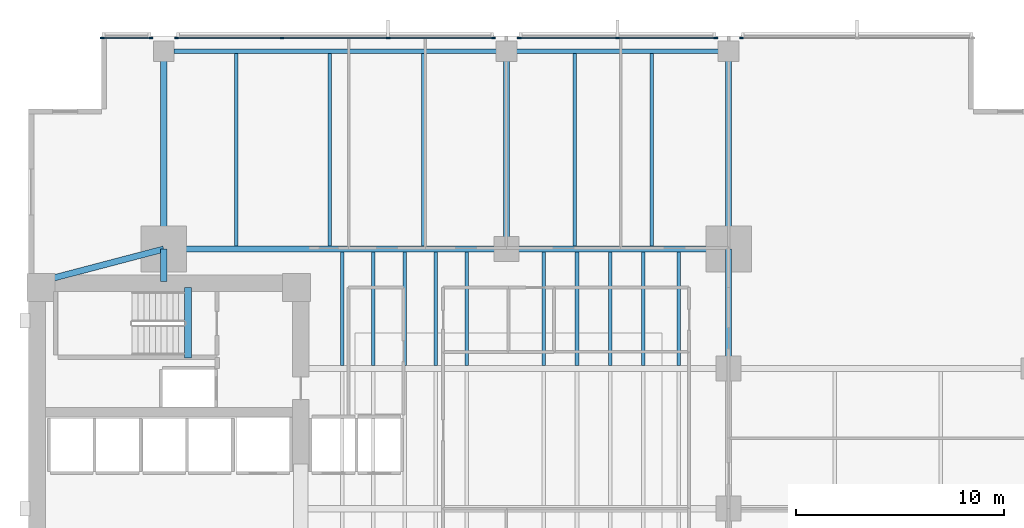
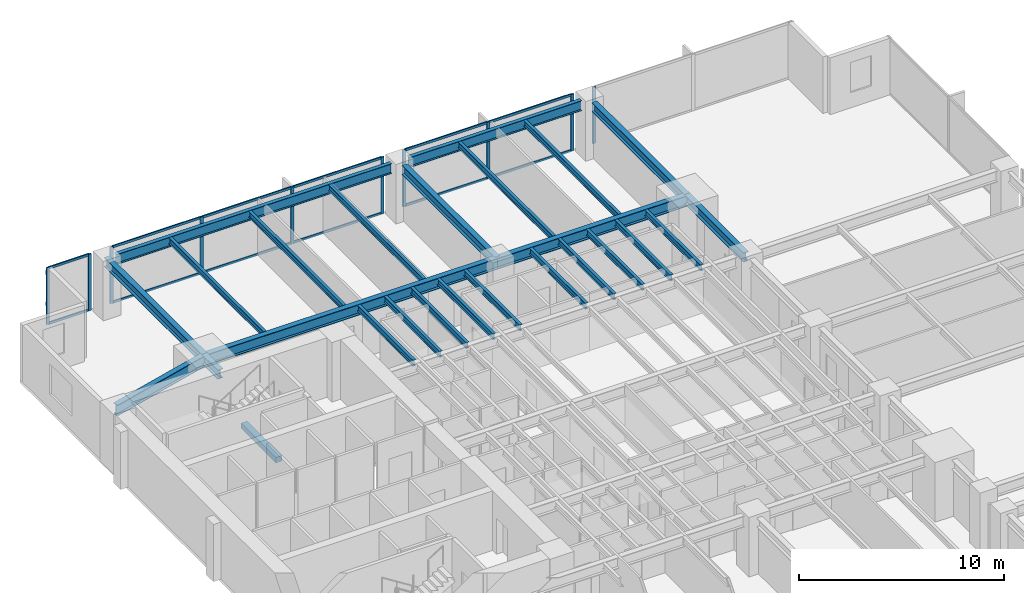
# One storey, part 5 of 15: 26 beams, 22 members, 4 elements without a shape of their own.
"""IFC4 building model written with IfcOpenShell, lengths in metres."""

from ifc_helpers import new_model, si_unit, direction, frame, origin, origin_2d, place, context, subcontext, project, spatial, rectangle, i_section, extrude, material, layer, layer_set, material_profile, profile_set, type_object, element, aggregate, save


model = new_model("IFC4")

# Units and contexts
model_context = context("Model", 3, precision=1e-05, world=origin(), true_north=direction((0.0, 1.0)))
body_context = subcontext(model_context, "Body", "Model", "MODEL_VIEW")
ifc_project = project(units=[si_unit("LENGTHUNIT", "METRE"), si_unit("AREAUNIT", "SQUARE_METRE"), si_unit("VOLUMEUNIT", "CUBIC_METRE"), si_unit("PLANEANGLEUNIT", "RADIAN"), si_unit("MASSUNIT", "GRAM", prefix="KILO")], contexts=[model_context])

# Site, building, storey
site_placement = place(None, origin())
site = spatial("IfcSite", under=ifc_project, at=site_placement, CompositionType="ELEMENT")
building_placement = place(site_placement, origin())
building = spatial("IfcBuilding", under=site, at=building_placement, Name="Kinhvarn Gate Tower", CompositionType="ELEMENT")
storey_placement = place(building_placement, frame((0.0, 0.0, 64.64990234375)))
storey = spatial("IfcBuildingStorey", under=building, at=storey_placement, Name="L16", CompositionType="ELEMENT", Elevation=64.64990234375)

# Beam
ifc_material_1 = material(Name="Concrete C50/60", Category="concrete")
ifc_material_profile_1 = material_profile(ifc_material_1, rectangle(XDim=0.340087890625, YDim=0.320068359375, at=origin_2d()), Name="RC 340x320")
ifc_profile_set_1 = profile_set([ifc_material_profile_1], Name="Concrete C50/60")
beam_type_1 = type_object("IfcBeamType", Name="BM-LND-500", PredefinedType="BEAM", material=ifc_profile_set_1)
beam_1_placement = place(storey_placement, frame((12.1650390625, 32.5, -0.159912109375), z_axis=(0.0, 1.0, 0.0), x_axis=(-1.0, 0.0, 0.0)))
element("IfcBeam", 1, at=beam_1_placement, inside=storey, type_object=beam_type_1, Name="Stair ST2 Landing Nosing Beam (L16)", PredefinedType="BEAM", context=body_context, shape_type="SweptSolid", body=[
    extrude(rectangle(XDim=0.340087890625, YDim=0.320068359375, at=origin_2d()), origin(), (0.0, 0.0, 1.0), 3.39990234375),
])

# Curtain wall, member
ifc_material_2 = material(Name="Anodised aluminium AW-6063", Category="aluminium")
ifc_layer = layer(ifc_material_2, 0.179931640625)
ifc_layer_set = layer_set([ifc_layer], Name="Anodised aluminium AW-6063")
curtain_wall_type = type_object("IfcCurtainWallType", Name="CW-SYS-2", PredefinedType="NOTDEFINED", material=ifc_layer_set)
curtain_wall_1_placement = place(storey_placement, origin())
curtain_wall_1 = element("IfcCurtainWall", 2, at=curtain_wall_1_placement, inside=storey, type_object=curtain_wall_type, Name="Curtain Wall CW2 (L16)", PredefinedType="NOTDEFINED")
ifc_material_profile_2 = material_profile(ifc_material_2, rectangle(XDim=0.070068359375, YDim=0.179931640625, at=origin_2d()), Name="ALU 70x180")
ifc_profile_set_2 = profile_set([ifc_material_profile_2], Name="Anodised aluminium AW-6063")
member_type_1 = type_object("IfcMemberType", Name="CW-MUL-180", PredefinedType="MULLION", material=ifc_profile_set_2)
member_1_placement = place(storey_placement, frame((38.81494140625, 47.909912109375, 0.0), z_axis=(0.0, 0.0, 1.0), x_axis=(0.0, -1.0, 0.0)))
member_1 = element("IfcMember", 3, at=member_1_placement, type_object=member_type_1, Name="CW2 mullion 3", PredefinedType="MULLION", context=body_context, shape_type="SweptSolid", body=[
    extrude(rectangle(XDim=0.070068359375, YDim=0.179931640625, at=origin_2d()), origin(), (0.0, 0.0, 1.0), 3.3701171875),
])
aggregate(curtain_wall_1, [member_1])

# Curtain wall, members
curtain_wall_2_placement = place(storey_placement, origin())
curtain_wall_2 = element("IfcCurtainWall", 4, at=curtain_wall_2_placement, inside=storey, type_object=curtain_wall_type, Name="Curtain Wall CW2 (L16)", PredefinedType="NOTDEFINED")
member_2_placement = place(storey_placement, frame((37.5849609375, 47.909912109375, 0.0), z_axis=(0.0, 0.0, 1.0), x_axis=(0.0, -1.0, 0.0)))
member_2 = element("IfcMember", 5, at=member_2_placement, type_object=member_type_1, Name="CW2 mullion 1", PredefinedType="MULLION", context=body_context, shape_type="SweptSolid", body=[
    extrude(rectangle(XDim=0.070068359375, YDim=0.179931640625, at=origin_2d()), origin(), (0.0, 0.0, 1.0), 3.3701171875),
])
member_3_placement = place(storey_placement, frame((32.85009765625, 47.909912109375, 0.0), z_axis=(0.0, 0.0, 1.0), x_axis=(0.0, -1.0, 0.0)))
member_3 = element("IfcMember", 6, at=member_3_placement, type_object=member_type_1, Name="CW2 mullion 2", PredefinedType="MULLION", context=body_context, shape_type="SweptSolid", body=[
    extrude(rectangle(XDim=0.070068359375, YDim=0.179931640625, at=origin_2d()), origin(), (0.0, 0.0, 1.0), 3.3701171875),
])
member_4_placement = place(storey_placement, frame((28.114990234375, 47.909912109375, 0.0), z_axis=(0.0, 0.0, 1.0), x_axis=(0.0, -1.0, 0.0)))
member_4 = element("IfcMember", 7, at=member_4_placement, type_object=member_type_1, Name="CW2 mullion 3", PredefinedType="MULLION", context=body_context, shape_type="SweptSolid", body=[
    extrude(rectangle(XDim=0.070068359375, YDim=0.179931640625, at=origin_2d()), origin(), (0.0, 0.0, 1.0), 3.3701171875),
])

curtain_wall_3_placement = place(storey_placement, origin())
curtain_wall_3 = element("IfcCurtainWall", 8, at=curtain_wall_3_placement, inside=storey, type_object=curtain_wall_type, Name="Curtain Wall CW2 (L16)", PredefinedType="NOTDEFINED")
member_5_placement = place(storey_placement, frame((26.885009765625, 47.909912109375, 0.0), z_axis=(0.0, 0.0, 1.0), x_axis=(0.0, -1.0, 0.0)))
member_5 = element("IfcMember", 9, at=member_5_placement, type_object=member_type_1, Name="CW2 mullion 1", PredefinedType="MULLION", context=body_context, shape_type="SweptSolid", body=[
    extrude(rectangle(XDim=0.070068359375, YDim=0.179931640625, at=origin_2d()), origin(), (0.0, 0.0, 1.0), 3.3701171875),
])
member_6_placement = place(storey_placement, frame((21.806640625, 47.909912109375, 0.0), z_axis=(0.0, 0.0, 1.0), x_axis=(0.0, -1.0, 0.0)))
member_6 = element("IfcMember", 10, at=member_6_placement, type_object=member_type_1, Name="CW2 mullion 2", PredefinedType="MULLION", context=body_context, shape_type="SweptSolid", body=[
    extrude(rectangle(XDim=0.070068359375, YDim=0.179931640625, at=origin_2d()), origin(), (0.0, 0.0, 1.0), 3.3701171875),
])
member_7_placement = place(storey_placement, frame((16.693359375, 47.909912109375, 0.0), z_axis=(0.0, 0.0, 1.0), x_axis=(0.0, -1.0, 0.0)))
member_7 = element("IfcMember", 11, at=member_7_placement, type_object=member_type_1, Name="CW2 mullion 3", PredefinedType="MULLION", context=body_context, shape_type="SweptSolid", body=[
    extrude(rectangle(XDim=0.070068359375, YDim=0.179931640625, at=origin_2d()), origin(), (0.0, 0.0, 1.0), 3.3701171875),
])
member_8_placement = place(storey_placement, frame((11.614990234375, 47.909912109375, 0.0), z_axis=(0.0, 0.0, 1.0), x_axis=(0.0, -1.0, 0.0)))
member_8 = element("IfcMember", 12, at=member_8_placement, type_object=member_type_1, Name="CW2 mullion 4", PredefinedType="MULLION", context=body_context, shape_type="SweptSolid", body=[
    extrude(rectangle(XDim=0.070068359375, YDim=0.179931640625, at=origin_2d()), origin(), (0.0, 0.0, 1.0), 3.3701171875),
])

curtain_wall_4_placement = place(storey_placement, origin())
curtain_wall_4 = element("IfcCurtainWall", 13, at=curtain_wall_4_placement, inside=storey, type_object=curtain_wall_type, Name="Curtain Wall CW2 (L16)", PredefinedType="NOTDEFINED")
member_9_placement = place(storey_placement, frame((10.385009765625, 47.909912109375, 0.0), z_axis=(0.0, 0.0, 1.0), x_axis=(0.0, -1.0, 0.0)))
member_9 = element("IfcMember", 14, at=member_9_placement, type_object=member_type_1, Name="CW2 mullion 1", PredefinedType="MULLION", context=body_context, shape_type="SweptSolid", body=[
    extrude(rectangle(XDim=0.070068359375, YDim=0.179931640625, at=origin_2d()), origin(), (0.0, 0.0, 1.0), 3.3701171875),
])
member_10_placement = place(storey_placement, frame((8.034912109375, 47.909912109375, 0.0), z_axis=(0.0, 0.0, 1.0), x_axis=(0.0, -1.0, 0.0)))
member_10 = element("IfcMember", 15, at=member_10_placement, type_object=member_type_1, Name="CW2 mullion 2", PredefinedType="MULLION", context=body_context, shape_type="SweptSolid", body=[
    extrude(rectangle(XDim=0.070068359375, YDim=0.179931640625, at=origin_2d()), origin(), (0.0, 0.0, 1.0), 3.3701171875),
])

# Member
ifc_material_profile_3 = material_profile(ifc_material_2, rectangle(XDim=0.070068359375, YDim=0.139892578125, at=origin_2d()), Name="ALU 70x140")
ifc_profile_set_3 = profile_set([ifc_material_profile_3], Name="Anodised aluminium AW-6063")
member_type_2 = type_object("IfcMemberType", Name="CW-TRN-140", PredefinedType="USERDEFINED", material=ifc_profile_set_3)
member_11_placement = place(storey_placement, frame((37.550048828125, 47.909912109375, 0.03515625), z_axis=(-1.0, 0.0, 0.0), x_axis=(0.0, -1.0, 0.0)))
member_11 = element("IfcMember", 16, at=member_11_placement, type_object=member_type_2, Name="CW2 transom 1.1", ObjectType="TRANSOM", PredefinedType="USERDEFINED", context=body_context, shape_type="SweptSolid", body=[
    extrude(rectangle(XDim=0.070068359375, YDim=0.139892578125, at=origin_2d()), origin(), (0.0, 0.0, 1.0), 4.6650390625),
])

member_12_placement = place(storey_placement, frame((37.550048828125, 47.909912109375, 3.335205078125), z_axis=(-1.0, 0.0, 0.0), x_axis=(0.0, -1.0, 0.0)))
member_12 = element("IfcMember", 17, at=member_12_placement, type_object=member_type_2, Name="CW2 transom 1.2", ObjectType="TRANSOM", PredefinedType="USERDEFINED", context=body_context, shape_type="SweptSolid", body=[
    extrude(rectangle(XDim=0.070068359375, YDim=0.139892578125, at=origin_2d()), origin(), (0.0, 0.0, 1.0), 4.6650390625),
])

member_13_placement = place(storey_placement, frame((32.81494140625, 47.909912109375, 0.03515625), z_axis=(-1.0, 0.0, 0.0), x_axis=(0.0, -1.0, 0.0)))
member_13 = element("IfcMember", 18, at=member_13_placement, type_object=member_type_2, Name="CW2 transom 2.1", ObjectType="TRANSOM", PredefinedType="USERDEFINED", context=body_context, shape_type="SweptSolid", body=[
    extrude(rectangle(XDim=0.070068359375, YDim=0.139892578125, at=origin_2d()), origin(), (0.0, 0.0, 1.0), 4.6650390625),
])

member_14_placement = place(storey_placement, frame((32.81494140625, 47.909912109375, 3.335205078125), z_axis=(-1.0, 0.0, 0.0), x_axis=(0.0, -1.0, 0.0)))
member_14 = element("IfcMember", 19, at=member_14_placement, type_object=member_type_2, Name="CW2 transom 2.2", ObjectType="TRANSOM", PredefinedType="USERDEFINED", context=body_context, shape_type="SweptSolid", body=[
    extrude(rectangle(XDim=0.070068359375, YDim=0.139892578125, at=origin_2d()), origin(), (0.0, 0.0, 1.0), 4.6650390625),
])

aggregate(curtain_wall_2, [member_2, member_3, member_4, member_11, member_12, member_13, member_14])

member_15_placement = place(storey_placement, frame((26.85009765625, 47.909912109375, 0.03515625), z_axis=(-1.0, 0.0, 0.0), x_axis=(0.0, -1.0, 0.0)))
member_15 = element("IfcMember", 20, at=member_15_placement, type_object=member_type_2, Name="CW2 transom 1.1", ObjectType="TRANSOM", PredefinedType="USERDEFINED", context=body_context, shape_type="SweptSolid", body=[
    extrude(rectangle(XDim=0.070068359375, YDim=0.139892578125, at=origin_2d()), origin(), (0.0, 0.0, 1.0), 5.008544921875),
])

member_16_placement = place(storey_placement, frame((26.85009765625, 47.909912109375, 3.335205078125), z_axis=(-1.0, 0.0, 0.0), x_axis=(0.0, -1.0, 0.0)))
member_16 = element("IfcMember", 21, at=member_16_placement, type_object=member_type_2, Name="CW2 transom 1.2", ObjectType="TRANSOM", PredefinedType="USERDEFINED", context=body_context, shape_type="SweptSolid", body=[
    extrude(rectangle(XDim=0.070068359375, YDim=0.139892578125, at=origin_2d()), origin(), (0.0, 0.0, 1.0), 5.008544921875),
])

member_17_placement = place(storey_placement, frame((21.771728515625, 47.909912109375, 0.03515625), z_axis=(-1.0, 0.0, 0.0), x_axis=(0.0, -1.0, 0.0)))
member_17 = element("IfcMember", 22, at=member_17_placement, type_object=member_type_2, Name="CW2 transom 2.1", ObjectType="TRANSOM", PredefinedType="USERDEFINED", context=body_context, shape_type="SweptSolid", body=[
    extrude(rectangle(XDim=0.070068359375, YDim=0.139892578125, at=origin_2d()), origin(), (0.0, 0.0, 1.0), 5.04345703125),
])

member_18_placement = place(storey_placement, frame((21.771728515625, 47.909912109375, 3.335205078125), z_axis=(-1.0, 0.0, 0.0), x_axis=(0.0, -1.0, 0.0)))
member_18 = element("IfcMember", 23, at=member_18_placement, type_object=member_type_2, Name="CW2 transom 2.2", ObjectType="TRANSOM", PredefinedType="USERDEFINED", context=body_context, shape_type="SweptSolid", body=[
    extrude(rectangle(XDim=0.070068359375, YDim=0.139892578125, at=origin_2d()), origin(), (0.0, 0.0, 1.0), 5.04345703125),
])

member_19_placement = place(storey_placement, frame((16.658447265625, 47.909912109375, 0.03515625), z_axis=(-1.0, 0.0, 0.0), x_axis=(0.0, -1.0, 0.0)))
member_19 = element("IfcMember", 24, at=member_19_placement, type_object=member_type_2, Name="CW2 transom 3.1", ObjectType="TRANSOM", PredefinedType="USERDEFINED", context=body_context, shape_type="SweptSolid", body=[
    extrude(rectangle(XDim=0.070068359375, YDim=0.139892578125, at=origin_2d()), origin(), (0.0, 0.0, 1.0), 5.008544921875),
])

member_20_placement = place(storey_placement, frame((16.658447265625, 47.909912109375, 3.335205078125), z_axis=(-1.0, 0.0, 0.0), x_axis=(0.0, -1.0, 0.0)))
member_20 = element("IfcMember", 25, at=member_20_placement, type_object=member_type_2, Name="CW2 transom 3.2", ObjectType="TRANSOM", PredefinedType="USERDEFINED", context=body_context, shape_type="SweptSolid", body=[
    extrude(rectangle(XDim=0.070068359375, YDim=0.139892578125, at=origin_2d()), origin(), (0.0, 0.0, 1.0), 5.008544921875),
])

aggregate(curtain_wall_3, [member_5, member_6, member_7, member_8, member_15, member_16, member_17, member_18, member_19, member_20])

member_21_placement = place(storey_placement, frame((10.35009765625, 47.909912109375, 0.03515625), z_axis=(-1.0, 0.0, 0.0), x_axis=(0.0, -1.0, 0.0)))
member_21 = element("IfcMember", 26, at=member_21_placement, type_object=member_type_2, Name="CW2 transom 1.1", ObjectType="TRANSOM", PredefinedType="USERDEFINED", context=body_context, shape_type="SweptSolid", body=[
    extrude(rectangle(XDim=0.070068359375, YDim=0.139892578125, at=origin_2d()), origin(), (0.0, 0.0, 1.0), 2.280029296875),
])

member_22_placement = place(storey_placement, frame((10.35009765625, 47.909912109375, 3.335205078125), z_axis=(-1.0, 0.0, 0.0), x_axis=(0.0, -1.0, 0.0)))
member_22 = element("IfcMember", 27, at=member_22_placement, type_object=member_type_2, Name="CW2 transom 1.2", ObjectType="TRANSOM", PredefinedType="USERDEFINED", context=body_context, shape_type="SweptSolid", body=[
    extrude(rectangle(XDim=0.070068359375, YDim=0.139892578125, at=origin_2d()), origin(), (0.0, 0.0, 1.0), 2.280029296875),
])

aggregate(curtain_wall_4, [member_9, member_10, member_21, member_22])

# Beams
ifc_material_3 = material(Name="Steel S355", Category="steel")
ifc_material_profile_4 = material_profile(ifc_material_3, i_section(OverallWidth=0.300048828125, OverallDepth=0.550048828125, WebThickness=0.014892578125, FlangeThickness=0.029052734375, at=origin_2d()), Name="HEB 550")
ifc_profile_set_4 = profile_set([ifc_material_profile_4], Name="Steel S355")
beam_type_2 = type_object("IfcBeamType", Name="STL-HEB550", PredefinedType="BEAM", material=ifc_profile_set_4)
beam_2_placement = place(storey_placement, frame((11.0, 36.199951171875, 3.09521484375), z_axis=(0.0, 1.0, 0.0), x_axis=(-1.0, 0.0, 0.0)))
element("IfcBeam", 28, at=beam_2_placement, inside=storey, type_object=beam_type_2, Name="Floor Beam PG-15 (L16 MCW-CN)", PredefinedType="BEAM", context=body_context, shape_type="SweptSolid", body=[
    extrude(i_section(OverallWidth=0.300048828125, OverallDepth=0.550048828125, WebThickness=0.014892578125, FlangeThickness=0.029052734375, at=origin_2d()), origin(), (0.0, 0.0, 1.0), 1.550048828125),
])
beam_3_placement = place(storey_placement, frame((11.0, 37.75, 3.09521484375), z_axis=(0.0, 1.0, 0.0), x_axis=(-1.0, 0.0, 0.0)))
element("IfcBeam", 29, at=beam_3_placement, inside=storey, type_object=beam_type_2, Name="Floor Beam PG-15 (L16 MCW-N)", PredefinedType="BEAM", context=body_context, shape_type="SweptSolid", body=[
    extrude(i_section(OverallWidth=0.300048828125, OverallDepth=0.550048828125, WebThickness=0.014892578125, FlangeThickness=0.029052734375, at=origin_2d()), origin(), (0.0, 0.0, 1.0), 9.530029296875),
])
for number, where, z_axis, x_axis, name in (
    (30, (27.5, 37.75, 3.09521484375), (0.0, 1.0, 0.0), (-1.0, 0.0, 0.0), "Floor Beam PG-15 (L16 SP27-N-TIE)"),
    (31, (38.199951171875, 37.75, 3.09521484375), (0.0, 1.0, 0.0), (-1.0, 0.0, 0.0), "Floor Beam PG-15 (L16 MCE-N)"),
):
    element("IfcBeam", number, at=place(storey_placement, frame(where, z_axis=z_axis, x_axis=x_axis)), inside=storey, type_object=beam_type_2, Name=name, PredefinedType="BEAM", context=body_context, shape_type="SweptSolid", body=[
        extrude(i_section(OverallWidth=0.300048828125, OverallDepth=0.550048828125, WebThickness=0.014892578125, FlangeThickness=0.029052734375, at=origin_2d()), origin(), (0.0, 0.0, 1.0), 9.044921875),
    ])
beam_4_placement = place(storey_placement, frame((38.199951171875, 32.0, 3.09521484375), z_axis=(0.0, 1.0, 0.0), x_axis=(-1.0, 0.0, 0.0)))
element("IfcBeam", 32, at=beam_4_placement, inside=storey, type_object=beam_type_2, Name="Floor Beam PG-15 (L16 MG-E-32)", PredefinedType="BEAM", context=body_context, shape_type="SweptSolid", body=[
    extrude(i_section(OverallWidth=0.300048828125, OverallDepth=0.550048828125, WebThickness=0.014892578125, FlangeThickness=0.029052734375, at=origin_2d()), origin(), (0.0, 0.0, 1.0), 5.75),
])
ifc_material_profile_5 = material_profile(ifc_material_3, i_section(OverallWidth=0.300048828125, OverallDepth=0.64990234375, WebThickness=0.01611328125, FlangeThickness=0.031005859375, at=origin_2d()), Name="HEB 650")
ifc_profile_set_5 = profile_set([ifc_material_profile_5], Name="Steel S355")
beam_type_3 = type_object("IfcBeamType", Name="STL-HEB650", PredefinedType="BEAM", material=ifc_profile_set_5)
beam_5_placement = place(storey_placement, frame((11.0, 37.75, 3.045166015625), z_axis=(1.0, 0.0, 0.0), x_axis=(0.0, 1.0, 0.0)))
element("IfcBeam", 33, at=beam_5_placement, inside=storey, type_object=beam_type_3, Name="Floor Beam PG-17 (L16 MG-N1)", PredefinedType="BEAM", context=body_context, shape_type="SweptSolid", body=[
    extrude(i_section(OverallWidth=0.300048828125, OverallDepth=0.64990234375, WebThickness=0.01611328125, FlangeThickness=0.031005859375, at=origin_2d()), origin(), (0.0, 0.0, 1.0), 16.5),
])
beam_6_placement = place(storey_placement, frame((27.5, 37.75, 3.045166015625), z_axis=(1.0, 0.0, 0.0), x_axis=(0.0, 1.0, 0.0)))
element("IfcBeam", 34, at=beam_6_placement, inside=storey, type_object=beam_type_3, Name="Floor Beam PG-17 (L16 MG-N2)", PredefinedType="BEAM", context=body_context, shape_type="SweptSolid", body=[
    extrude(i_section(OverallWidth=0.300048828125, OverallDepth=0.64990234375, WebThickness=0.01611328125, FlangeThickness=0.031005859375, at=origin_2d()), origin(), (0.0, 0.0, 1.0), 10.699951171875),
])
beam_7_placement = place(storey_placement, frame((5.10009765625, 36.199951171875, 3.045166015625), z_axis=(0.967177623957, 0.254101246979, 0.0), x_axis=(-0.254101246979, 0.967177623957, 0.0)))
element("IfcBeam", 35, at=beam_7_placement, inside=storey, type_object=beam_type_3, Name="Floor Beam PG-17 (L16 MG-NW-DIAG)", PredefinedType="BEAM", context=body_context, shape_type="SweptSolid", body=[
    extrude(i_section(OverallWidth=0.300048828125, OverallDepth=0.64990234375, WebThickness=0.01611328125, FlangeThickness=0.031005859375, at=origin_2d()), origin(), (0.0, 0.0, 1.0), 6.10009765625),
])
ifc_material_profile_6 = material_profile(ifc_material_3, i_section(OverallWidth=0.169921875, OverallDepth=0.360107421875, WebThickness=0.008056640625, FlangeThickness=0.0126953125, at=origin_2d()), Name="IPE 360")
ifc_profile_set_6 = profile_set([ifc_material_profile_6], Name="Steel S355")
beam_type_4 = type_object("IfcBeamType", Name="STL-IPE360", PredefinedType="JOIST", material=ifc_profile_set_6)
for number, where, z_axis, x_axis, name in (
    (36, (19.60009765625, 32.14990234375, 3.190185546875), (0.0, 1.0, 0.0), (-1.0, 0.0, 0.0), "Floor Joist SB-04 (L16 JC-X196-3)"),
    (37, (21.10009765625, 32.14990234375, 3.190185546875), (0.0, 1.0, 0.0), (-1.0, 0.0, 0.0), "Floor Joist SB-04 (L16 JC-X211-3)"),
    (38, (22.60009765625, 32.14990234375, 3.190185546875), (0.0, 1.0, 0.0), (-1.0, 0.0, 0.0), "Floor Joist SB-04 (L16 JC-X226-3)"),
    (39, (24.10009765625, 32.14990234375, 3.190185546875), (0.0, 1.0, 0.0), (-1.0, 0.0, 0.0), "Floor Joist SB-04 (L16 JC-X241-3)"),
    (40, (25.60009765625, 32.14990234375, 3.190185546875), (0.0, 1.0, 0.0), (-1.0, 0.0, 0.0), "Floor Joist SB-04 (L16 JC-X256-3)"),
    (41, (29.300048828125, 32.14990234375, 3.190185546875), (0.0, 1.0, 0.0), (-1.0, 0.0, 0.0), "Floor Joist SB-04 (L16 JC-X293-3)"),
    (42, (30.89990234375, 32.14990234375, 3.190185546875), (0.0, 1.0, 0.0), (-1.0, 0.0, 0.0), "Floor Joist SB-04 (L16 JC-X309-3)"),
    (43, (32.5, 32.14990234375, 3.190185546875), (0.0, 1.0, 0.0), (-1.0, 0.0, 0.0), "Floor Joist SB-04 (L16 JC-X325-3)"),
    (44, (34.10009765625, 32.14990234375, 3.190185546875), (0.0, 1.0, 0.0), (-1.0, 0.0, 0.0), "Floor Joist SB-04 (L16 JC-X341-3)"),
    (45, (35.800048828125, 32.14990234375, 3.190185546875), (0.0, 1.0, 0.0), (-1.0, 0.0, 0.0), "Floor Joist SB-04 (L16 JC-X358-3)"),
):
    element("IfcBeam", number, at=place(storey_placement, frame(where, z_axis=z_axis, x_axis=x_axis)), inside=storey, type_object=beam_type_4, Name=name, PredefinedType="JOIST", context=body_context, shape_type="SweptSolid", body=[
        extrude(i_section(OverallWidth=0.169921875, OverallDepth=0.360107421875, WebThickness=0.008056640625, FlangeThickness=0.0126953125, at=origin_2d()), origin(), (0.0, 0.0, 1.0), 5.4501953125),
    ])
for number, where, z_axis, x_axis, name in (
    (46, (14.5, 37.89990234375, 3.190185546875), (0.0, 1.0, 0.0), (-1.0, 0.0, 0.0), "Floor Joist SB-04 (L16 JN-X145)"),
    (47, (19.0, 37.89990234375, 3.190185546875), (0.0, 1.0, 0.0), (-1.0, 0.0, 0.0), "Floor Joist SB-04 (L16 JN-X190)"),
    (48, (23.5, 37.89990234375, 3.190185546875), (0.0, 1.0, 0.0), (-1.0, 0.0, 0.0), "Floor Joist SB-04 (L16 JN-X235)"),
    (49, (30.800048828125, 37.89990234375, 3.190185546875), (0.0, 1.0, 0.0), (-1.0, 0.0, 0.0), "Floor Joist SB-04 (L16 JN-X308)"),
    (50, (34.5, 37.89990234375, 3.190185546875), (0.0, 1.0, 0.0), (-1.0, 0.0, 0.0), "Floor Joist SB-04 (L16 JN-X345)"),
):
    element("IfcBeam", number, at=place(storey_placement, frame(where, z_axis=z_axis, x_axis=x_axis)), inside=storey, type_object=beam_type_4, Name=name, PredefinedType="JOIST", context=body_context, shape_type="SweptSolid", body=[
        extrude(i_section(OverallWidth=0.169921875, OverallDepth=0.360107421875, WebThickness=0.008056640625, FlangeThickness=0.0126953125, at=origin_2d()), origin(), (0.0, 0.0, 1.0), 9.27001953125),
    ])
ifc_material_profile_7 = material_profile(ifc_material_3, i_section(OverallWidth=0.219970703125, OverallDepth=0.60009765625, WebThickness=0.011962890625, FlangeThickness=0.01904296875, at=origin_2d()), Name="IPE 600")
ifc_profile_set_7 = profile_set([ifc_material_profile_7], Name="Steel S355")
beam_type_5 = type_object("IfcBeamType", Name="STL-IPE600", PredefinedType="SPANDREL", material=ifc_profile_set_7)
beam_8_placement = place(storey_placement, frame((11.485107421875, 47.280029296875, 3.070068359375), z_axis=(1.0, 0.0, 0.0), x_axis=(0.0, 1.0, 0.0)))
element("IfcBeam", 51, at=beam_8_placement, inside=storey, type_object=beam_type_5, Name="Floor Spandrel SB-09 (L16 SP-N1)", PredefinedType="SPANDREL", context=body_context, shape_type="SweptSolid", body=[
    extrude(i_section(OverallWidth=0.219970703125, OverallDepth=0.60009765625, WebThickness=0.011962890625, FlangeThickness=0.01904296875, at=origin_2d()), origin(), (0.0, 0.0, 1.0), 15.52978515625),
])
beam_9_placement = place(storey_placement, frame((27.985107421875, 47.280029296875, 3.070068359375), z_axis=(1.0, 0.0, 0.0), x_axis=(0.0, 1.0, 0.0)))
element("IfcBeam", 52, at=beam_9_placement, inside=storey, type_object=beam_type_5, Name="Floor Spandrel SB-09 (L16 SP-N2)", PredefinedType="SPANDREL", context=body_context, shape_type="SweptSolid", body=[
    extrude(i_section(OverallWidth=0.219970703125, OverallDepth=0.60009765625, WebThickness=0.011962890625, FlangeThickness=0.01904296875, at=origin_2d()), origin(), (0.0, 0.0, 1.0), 9.72998046875),
])

save(model, "model.ifc")
